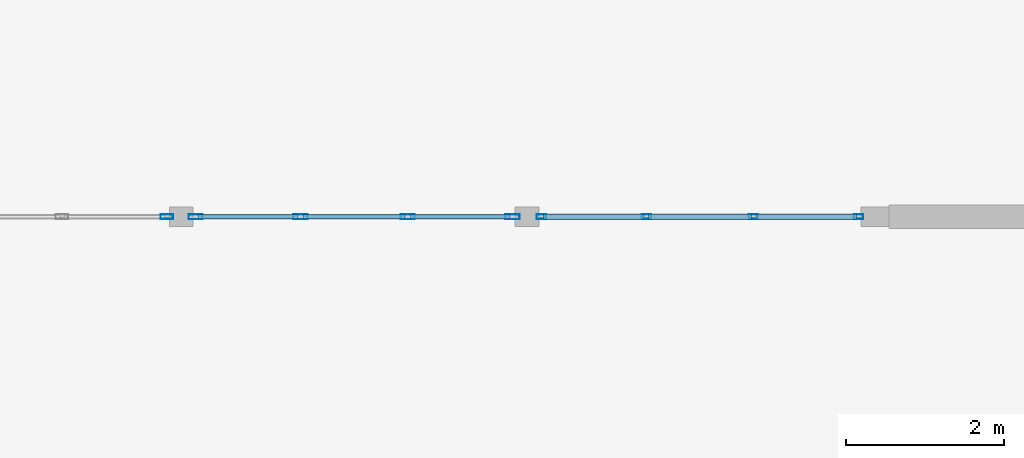
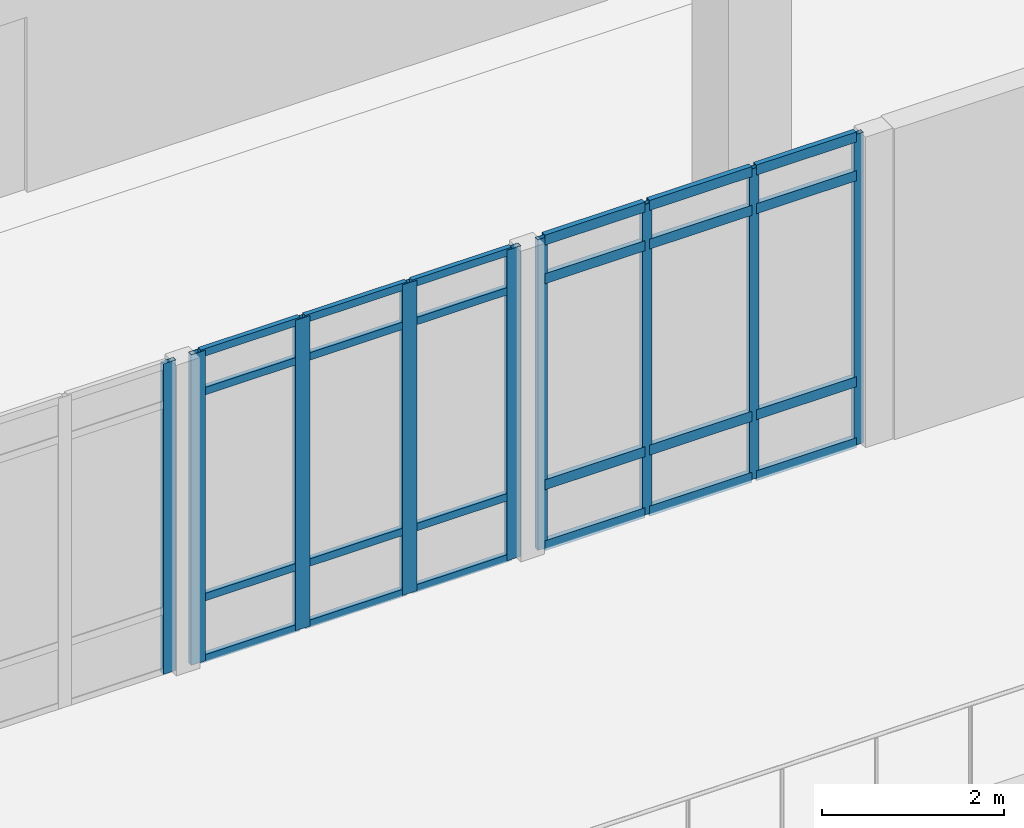
# One storey, part 20 of 55: 33 members, 3 elements without a shape of their own.
"""IFC4 building model written with IfcOpenShell, lengths in metres."""

from ifc_helpers import new_model, si_unit, direction, frame, origin, origin_2d, place, context, subcontext, project, spatial, hollow_rectangle, extrude, material, layer, layer_set, material_profile, profile_set, type_object, element, aggregate, save


model = new_model("IFC4")

# Units and contexts
model_context = context("Model", 3, precision=1e-05, world=origin(), true_north=direction((0.0, 1.0)))
body_context = subcontext(model_context, "Body", "Model", "MODEL_VIEW")
ifc_project = project(units=[si_unit("LENGTHUNIT", "METRE"), si_unit("AREAUNIT", "SQUARE_METRE"), si_unit("VOLUMEUNIT", "CUBIC_METRE"), si_unit("PLANEANGLEUNIT", "RADIAN"), si_unit("MASSUNIT", "GRAM", prefix="KILO")], contexts=[model_context])

# Site, building, storey
site_placement = place(None, origin())
site = spatial("IfcSite", under=ifc_project, at=site_placement, CompositionType="ELEMENT")
building_placement = place(site_placement, origin())
building = spatial("IfcBuilding", under=site, at=building_placement, Name="Fikremerkos Civic Library", CompositionType="ELEMENT")
storey_placement = place(building_placement, frame((0.0, 0.0, 18.89990234375)))
storey = spatial("IfcBuildingStorey", under=building, at=storey_placement, Name="L04", CompositionType="ELEMENT", Elevation=18.89990234375)

# Curtain wall, members
ifc_material = material(Name="Anodized aluminium Frame", Category="aluminium")
ifc_layer_1 = layer(ifc_material, 0.159912109375, Name="Anodized aluminium Frame")
ifc_layer_set_1 = layer_set([ifc_layer_1], Name="Anodized aluminium Frame")
curtain_wall_type_1 = type_object("IfcCurtainWallType", Name="Unitised curtain wall CW-05 3800x4100", PredefinedType="USERDEFINED", material=ifc_layer_set_1)
curtain_wall_1_placement = place(storey_placement, origin())
curtain_wall_1 = element("IfcCurtainWall", 1, at=curtain_wall_1_placement, inside=storey, type_object=curtain_wall_type_1, Name="Unitised curtain wall CW-05 L04 #221", ObjectType="UNITISED CURTAIN WALL", PredefinedType="USERDEFINED")
ifc_material_profile_1 = material_profile(ifc_material, hollow_rectangle(XDim=0.06494140625, YDim=0.179931640625, WallThickness=0.00439453125, at=origin_2d()), Name="ALU 180x65x4.5")
ifc_profile_set_1 = profile_set([ifc_material_profile_1], Name="Anodized aluminium Frame")
member_type_1 = type_object("IfcMemberType", Name="Curtain mullion CWM-01 ALU 180x65x4.5", PredefinedType="MULLION", material=ifc_profile_set_1)
member_1_placement = place(storey_placement, frame((68.4501953125, 8.800048828125, 0.0), z_axis=(0.0, 0.0, 1.0), x_axis=(0.0, -1.0, 0.0)))
member_1 = element("IfcMember", 2, at=member_1_placement, type_object=member_type_1, Name="CW-05 mullion 1", PredefinedType="MULLION", context=body_context, shape_type="SweptSolid", body=[
    extrude(hollow_rectangle(XDim=0.06494140625, YDim=0.179931640625, WallThickness=0.00439453125, at=origin_2d()), origin(), (0.0, 0.0, 1.0), 4.16015625),
])
member_2_placement = place(storey_placement, frame((67.12744140625, 8.800048828125, 0.0), z_axis=(0.0, 0.0, 1.0), x_axis=(0.0, -1.0, 0.0)))
member_2 = element("IfcMember", 3, at=member_2_placement, type_object=member_type_1, Name="CW-05 mullion 2", PredefinedType="MULLION", context=body_context, shape_type="SweptSolid", body=[
    extrude(hollow_rectangle(XDim=0.06494140625, YDim=0.179931640625, WallThickness=0.00439453125, at=origin_2d()), origin(), (0.0, 0.0, 1.0), 4.16015625),
])
member_3_placement = place(storey_placement, frame((65.7724609375, 8.800048828125, 0.0), z_axis=(0.0, 0.0, 1.0), x_axis=(0.0, -1.0, 0.0)))
member_3 = element("IfcMember", 4, at=member_3_placement, type_object=member_type_1, Name="CW-05 mullion 3", PredefinedType="MULLION", context=body_context, shape_type="SweptSolid", body=[
    extrude(hollow_rectangle(XDim=0.06494140625, YDim=0.179931640625, WallThickness=0.00439453125, at=origin_2d()), origin(), (0.0, 0.0, 1.0), 4.16015625),
])
member_4_placement = place(storey_placement, frame((64.449951171875, 8.800048828125, 0.0), z_axis=(0.0, 0.0, 1.0), x_axis=(0.0, -1.0, 0.0)))
member_4 = element("IfcMember", 5, at=member_4_placement, type_object=member_type_1, Name="CW-05 mullion 4", PredefinedType="MULLION", context=body_context, shape_type="SweptSolid", body=[
    extrude(hollow_rectangle(XDim=0.06494140625, YDim=0.179931640625, WallThickness=0.00439453125, at=origin_2d()), origin(), (0.0, 0.0, 1.0), 4.16015625),
])

# Curtain wall, member
ifc_layer_2 = layer(ifc_material, 0.159912109375, Name="Anodized aluminium Frame")
ifc_layer_set_2 = layer_set([ifc_layer_2], Name="Anodized aluminium Frame")
curtain_wall_type_2 = type_object("IfcCurtainWallType", Name="Unitised curtain wall CW-06 4200x4100", PredefinedType="USERDEFINED", material=ifc_layer_set_2)
curtain_wall_2_placement = place(storey_placement, origin())
curtain_wall_2 = element("IfcCurtainWall", 6, at=curtain_wall_2_placement, inside=storey, type_object=curtain_wall_type_2, Name="Unitised curtain wall CW-06 L04 #222", ObjectType="UNITISED CURTAIN WALL", PredefinedType="USERDEFINED")
ifc_material_profile_2 = material_profile(ifc_material, hollow_rectangle(XDim=0.06005859375, YDim=0.159912109375, WallThickness=0.00390625, at=origin_2d()), Name="ALU 160x60x4")
ifc_profile_set_2 = profile_set([ifc_material_profile_2], Name="Anodized aluminium Frame")
member_type_2 = type_object("IfcMemberType", Name="Curtain mullion CWM-02 ALU 160x60x4", PredefinedType="MULLION", material=ifc_profile_set_2)
member_5_placement = place(storey_placement, frame((64.08740234375, 8.800048828125, 0.0), z_axis=(0.0, 0.0, 1.0), x_axis=(0.0, -1.0, 0.0)))
member_5 = element("IfcMember", 7, at=member_5_placement, type_object=member_type_2, Name="CW-06 mullion 1", PredefinedType="MULLION", context=body_context, shape_type="SweptSolid", body=[
    extrude(hollow_rectangle(XDim=0.06005859375, YDim=0.159912109375, WallThickness=0.00390625, at=origin_2d()), origin(), (0.0, 0.0, 1.0), 4.16015625),
])
aggregate(curtain_wall_2, [member_5])

# Curtain wall, members
ifc_layer_3 = layer(ifc_material, 0.159912109375, Name="Anodized aluminium Frame")
ifc_layer_set_3 = layer_set([ifc_layer_3], Name="Anodized aluminium Frame")
curtain_wall_type_3 = type_object("IfcCurtainWallType", Name="Unitised curtain wall CW-04 3400x3600", PredefinedType="USERDEFINED", material=ifc_layer_set_3)
curtain_wall_3_placement = place(storey_placement, origin())
curtain_wall_3 = element("IfcCurtainWall", 8, at=curtain_wall_3_placement, inside=storey, type_object=curtain_wall_type_3, Name="Unitised curtain wall CW-04 L04 #220", ObjectType="UNITISED CURTAIN WALL", PredefinedType="USERDEFINED")
ifc_material_profile_3 = material_profile(ifc_material, hollow_rectangle(XDim=0.06005859375, YDim=0.1201171875, WallThickness=0.00390625, at=origin_2d()), Name="ALU 120x60x4")
ifc_profile_set_3 = profile_set([ifc_material_profile_3], Name="Anodized aluminium Frame")
member_type_3 = type_object("IfcMemberType", Name="Curtain mullion CWM-04 ALU 120x60x4", PredefinedType="MULLION", material=ifc_profile_set_3)
member_6_placement = place(storey_placement, frame((72.818115234375, 8.800048828125, 0.0), z_axis=(0.0, 0.0, 1.0), x_axis=(0.0, -1.0, 0.0)))
member_6 = element("IfcMember", 9, at=member_6_placement, type_object=member_type_3, Name="CW-04 mullion 1", PredefinedType="MULLION", context=body_context, shape_type="SweptSolid", body=[
    extrude(hollow_rectangle(XDim=0.06005859375, YDim=0.1201171875, WallThickness=0.00390625, at=origin_2d()), origin(), (0.0, 0.0, 1.0), 4.16015625),
])
member_7_placement = place(storey_placement, frame((71.492919921875, 8.800048828125, 0.0), z_axis=(0.0, 0.0, 1.0), x_axis=(0.0, -1.0, 0.0)))
member_7 = element("IfcMember", 10, at=member_7_placement, type_object=member_type_3, Name="CW-04 mullion 2", PredefinedType="MULLION", context=body_context, shape_type="SweptSolid", body=[
    extrude(hollow_rectangle(XDim=0.06005859375, YDim=0.1201171875, WallThickness=0.00390625, at=origin_2d()), origin(), (0.0, 0.0, 1.0), 4.16015625),
])
member_8_placement = place(storey_placement, frame((70.1376953125, 8.800048828125, 0.0), z_axis=(0.0, 0.0, 1.0), x_axis=(0.0, -1.0, 0.0)))
member_8 = element("IfcMember", 11, at=member_8_placement, type_object=member_type_3, Name="CW-04 mullion 3", PredefinedType="MULLION", context=body_context, shape_type="SweptSolid", body=[
    extrude(hollow_rectangle(XDim=0.06005859375, YDim=0.1201171875, WallThickness=0.00390625, at=origin_2d()), origin(), (0.0, 0.0, 1.0), 4.16015625),
])
member_9_placement = place(storey_placement, frame((68.812744140625, 8.800048828125, 0.0), z_axis=(0.0, 0.0, 1.0), x_axis=(0.0, -1.0, 0.0)))
member_9 = element("IfcMember", 12, at=member_9_placement, type_object=member_type_3, Name="CW-04 mullion 4", PredefinedType="MULLION", context=body_context, shape_type="SweptSolid", body=[
    extrude(hollow_rectangle(XDim=0.06005859375, YDim=0.1201171875, WallThickness=0.00390625, at=origin_2d()), origin(), (0.0, 0.0, 1.0), 4.16015625),
])
ifc_material_profile_4 = material_profile(ifc_material, hollow_rectangle(XDim=0.06494140625, YDim=0.135009765625, WallThickness=0.00439453125, at=origin_2d()), Name="ALU 135x65x4.5")
ifc_profile_set_4 = profile_set([ifc_material_profile_4], Name="Anodized aluminium Frame")
member_type_4 = type_object("IfcMemberType", Name="Curtain transom CWT-02 ALU 135x65x4.5", PredefinedType="USERDEFINED", material=ifc_profile_set_4)
member_10_placement = place(storey_placement, frame((72.7880859375, 8.800048828125, 0.03271484375), z_axis=(-1.0, 0.0, 0.0), x_axis=(0.0, -1.0, 0.0)))
member_10 = element("IfcMember", 13, at=member_10_placement, type_object=member_type_4, Name="CW-04 transom 1.1", ObjectType="TRANSOM", PredefinedType="USERDEFINED", context=body_context, shape_type="SweptSolid", body=[
    extrude(hollow_rectangle(XDim=0.06494140625, YDim=0.135009765625, WallThickness=0.00439453125, at=origin_2d()), origin(), (0.0, 0.0, 1.0), 1.26513671875),
])
member_11_placement = place(storey_placement, frame((72.7880859375, 8.800048828125, 0.85009765625), z_axis=(-1.0, 0.0, 0.0), x_axis=(0.0, -1.0, 0.0)))
member_11 = element("IfcMember", 14, at=member_11_placement, type_object=member_type_4, Name="CW-04 transom 1.2", ObjectType="TRANSOM", PredefinedType="USERDEFINED", context=body_context, shape_type="SweptSolid", body=[
    extrude(hollow_rectangle(XDim=0.06494140625, YDim=0.135009765625, WallThickness=0.00439453125, at=origin_2d()), origin(), (0.0, 0.0, 1.0), 1.26513671875),
])
member_12_placement = place(storey_placement, frame((72.7880859375, 8.800048828125, 3.610107421875), z_axis=(-1.0, 0.0, 0.0), x_axis=(0.0, -1.0, 0.0)))
member_12 = element("IfcMember", 15, at=member_12_placement, type_object=member_type_4, Name="CW-04 transom 1.3", ObjectType="TRANSOM", PredefinedType="USERDEFINED", context=body_context, shape_type="SweptSolid", body=[
    extrude(hollow_rectangle(XDim=0.06494140625, YDim=0.135009765625, WallThickness=0.00439453125, at=origin_2d()), origin(), (0.0, 0.0, 1.0), 1.26513671875),
])
member_13_placement = place(storey_placement, frame((72.7880859375, 8.800048828125, 4.127685546875), z_axis=(-1.0, 0.0, 0.0), x_axis=(0.0, -1.0, 0.0)))
member_13 = element("IfcMember", 16, at=member_13_placement, type_object=member_type_4, Name="CW-04 transom 1.4", ObjectType="TRANSOM", PredefinedType="USERDEFINED", context=body_context, shape_type="SweptSolid", body=[
    extrude(hollow_rectangle(XDim=0.06494140625, YDim=0.135009765625, WallThickness=0.00439453125, at=origin_2d()), origin(), (0.0, 0.0, 1.0), 1.26513671875),
])
member_14_placement = place(storey_placement, frame((71.462890625, 8.800048828125, 0.03271484375), z_axis=(-1.0, 0.0, 0.0), x_axis=(0.0, -1.0, 0.0)))
member_14 = element("IfcMember", 17, at=member_14_placement, type_object=member_type_4, Name="CW-04 transom 2.1", ObjectType="TRANSOM", PredefinedType="USERDEFINED", context=body_context, shape_type="SweptSolid", body=[
    extrude(hollow_rectangle(XDim=0.06494140625, YDim=0.135009765625, WallThickness=0.00439453125, at=origin_2d()), origin(), (0.0, 0.0, 1.0), 1.295166015625),
])
member_15_placement = place(storey_placement, frame((71.462890625, 8.800048828125, 0.85009765625), z_axis=(-1.0, 0.0, 0.0), x_axis=(0.0, -1.0, 0.0)))
member_15 = element("IfcMember", 18, at=member_15_placement, type_object=member_type_4, Name="CW-04 transom 2.2", ObjectType="TRANSOM", PredefinedType="USERDEFINED", context=body_context, shape_type="SweptSolid", body=[
    extrude(hollow_rectangle(XDim=0.06494140625, YDim=0.135009765625, WallThickness=0.00439453125, at=origin_2d()), origin(), (0.0, 0.0, 1.0), 1.295166015625),
])
member_16_placement = place(storey_placement, frame((71.462890625, 8.800048828125, 3.610107421875), z_axis=(-1.0, 0.0, 0.0), x_axis=(0.0, -1.0, 0.0)))
member_16 = element("IfcMember", 19, at=member_16_placement, type_object=member_type_4, Name="CW-04 transom 2.3", ObjectType="TRANSOM", PredefinedType="USERDEFINED", context=body_context, shape_type="SweptSolid", body=[
    extrude(hollow_rectangle(XDim=0.06494140625, YDim=0.135009765625, WallThickness=0.00439453125, at=origin_2d()), origin(), (0.0, 0.0, 1.0), 1.295166015625),
])
member_17_placement = place(storey_placement, frame((71.462890625, 8.800048828125, 4.127685546875), z_axis=(-1.0, 0.0, 0.0), x_axis=(0.0, -1.0, 0.0)))
member_17 = element("IfcMember", 20, at=member_17_placement, type_object=member_type_4, Name="CW-04 transom 2.4", ObjectType="TRANSOM", PredefinedType="USERDEFINED", context=body_context, shape_type="SweptSolid", body=[
    extrude(hollow_rectangle(XDim=0.06494140625, YDim=0.135009765625, WallThickness=0.00439453125, at=origin_2d()), origin(), (0.0, 0.0, 1.0), 1.295166015625),
])
member_18_placement = place(storey_placement, frame((70.107666015625, 8.800048828125, 0.03271484375), z_axis=(-1.0, 0.0, 0.0), x_axis=(0.0, -1.0, 0.0)))
member_18 = element("IfcMember", 21, at=member_18_placement, type_object=member_type_4, Name="CW-04 transom 3.1", ObjectType="TRANSOM", PredefinedType="USERDEFINED", context=body_context, shape_type="SweptSolid", body=[
    extrude(hollow_rectangle(XDim=0.06494140625, YDim=0.135009765625, WallThickness=0.00439453125, at=origin_2d()), origin(), (0.0, 0.0, 1.0), 1.264892578125),
])
member_19_placement = place(storey_placement, frame((70.107666015625, 8.800048828125, 0.85009765625), z_axis=(-1.0, 0.0, 0.0), x_axis=(0.0, -1.0, 0.0)))
member_19 = element("IfcMember", 22, at=member_19_placement, type_object=member_type_4, Name="CW-04 transom 3.2", ObjectType="TRANSOM", PredefinedType="USERDEFINED", context=body_context, shape_type="SweptSolid", body=[
    extrude(hollow_rectangle(XDim=0.06494140625, YDim=0.135009765625, WallThickness=0.00439453125, at=origin_2d()), origin(), (0.0, 0.0, 1.0), 1.264892578125),
])
member_20_placement = place(storey_placement, frame((70.107666015625, 8.800048828125, 3.610107421875), z_axis=(-1.0, 0.0, 0.0), x_axis=(0.0, -1.0, 0.0)))
member_20 = element("IfcMember", 23, at=member_20_placement, type_object=member_type_4, Name="CW-04 transom 3.3", ObjectType="TRANSOM", PredefinedType="USERDEFINED", context=body_context, shape_type="SweptSolid", body=[
    extrude(hollow_rectangle(XDim=0.06494140625, YDim=0.135009765625, WallThickness=0.00439453125, at=origin_2d()), origin(), (0.0, 0.0, 1.0), 1.264892578125),
])
member_21_placement = place(storey_placement, frame((70.107666015625, 8.800048828125, 4.127685546875), z_axis=(-1.0, 0.0, 0.0), x_axis=(0.0, -1.0, 0.0)))
member_21 = element("IfcMember", 24, at=member_21_placement, type_object=member_type_4, Name="CW-04 transom 3.4", ObjectType="TRANSOM", PredefinedType="USERDEFINED", context=body_context, shape_type="SweptSolid", body=[
    extrude(hollow_rectangle(XDim=0.06494140625, YDim=0.135009765625, WallThickness=0.00439453125, at=origin_2d()), origin(), (0.0, 0.0, 1.0), 1.264892578125),
])
aggregate(curtain_wall_3, [member_6, member_7, member_8, member_9, member_10, member_11, member_12, member_13, member_14, member_15, member_16, member_17, member_18, member_19, member_20, member_21])

# Member
ifc_material_profile_5 = material_profile(ifc_material, hollow_rectangle(XDim=0.06005859375, YDim=0.10009765625, WallThickness=0.00390625, at=origin_2d()), Name="ALU 100x60x4")
ifc_profile_set_5 = profile_set([ifc_material_profile_5], Name="Anodized aluminium Frame")
member_type_5 = type_object("IfcMemberType", Name="Curtain transom CWT-03 ALU 100x60x4", PredefinedType="USERDEFINED", material=ifc_profile_set_5)
member_22_placement = place(storey_placement, frame((68.417724609375, 8.800048828125, 0.030029296875), z_axis=(-1.0, 0.0, 0.0), x_axis=(0.0, -1.0, 0.0)))
member_22 = element("IfcMember", 25, at=member_22_placement, type_object=member_type_5, Name="CW-05 transom 1.1", ObjectType="TRANSOM", PredefinedType="USERDEFINED", context=body_context, shape_type="SweptSolid", body=[
    extrude(hollow_rectangle(XDim=0.06005859375, YDim=0.10009765625, WallThickness=0.00390625, at=origin_2d()), origin(), (0.0, 0.0, 1.0), 1.257568359375),
])

member_23_placement = place(storey_placement, frame((68.417724609375, 8.800048828125, 0.85009765625), z_axis=(-1.0, 0.0, 0.0), x_axis=(0.0, -1.0, 0.0)))
member_23 = element("IfcMember", 26, at=member_23_placement, type_object=member_type_5, Name="CW-05 transom 1.2", ObjectType="TRANSOM", PredefinedType="USERDEFINED", context=body_context, shape_type="SweptSolid", body=[
    extrude(hollow_rectangle(XDim=0.06005859375, YDim=0.10009765625, WallThickness=0.00390625, at=origin_2d()), origin(), (0.0, 0.0, 1.0), 1.257568359375),
])

member_24_placement = place(storey_placement, frame((68.417724609375, 8.800048828125, 3.610107421875), z_axis=(-1.0, 0.0, 0.0), x_axis=(0.0, -1.0, 0.0)))
member_24 = element("IfcMember", 27, at=member_24_placement, type_object=member_type_5, Name="CW-05 transom 1.3", ObjectType="TRANSOM", PredefinedType="USERDEFINED", context=body_context, shape_type="SweptSolid", body=[
    extrude(hollow_rectangle(XDim=0.06005859375, YDim=0.10009765625, WallThickness=0.00390625, at=origin_2d()), origin(), (0.0, 0.0, 1.0), 1.257568359375),
])

member_25_placement = place(storey_placement, frame((68.417724609375, 8.800048828125, 4.130126953125), z_axis=(-1.0, 0.0, 0.0), x_axis=(0.0, -1.0, 0.0)))
member_25 = element("IfcMember", 28, at=member_25_placement, type_object=member_type_5, Name="CW-05 transom 1.4", ObjectType="TRANSOM", PredefinedType="USERDEFINED", context=body_context, shape_type="SweptSolid", body=[
    extrude(hollow_rectangle(XDim=0.06005859375, YDim=0.10009765625, WallThickness=0.00390625, at=origin_2d()), origin(), (0.0, 0.0, 1.0), 1.257568359375),
])

member_26_placement = place(storey_placement, frame((67.094970703125, 8.800048828125, 0.030029296875), z_axis=(-1.0, 0.0, 0.0), x_axis=(0.0, -1.0, 0.0)))
member_26 = element("IfcMember", 29, at=member_26_placement, type_object=member_type_5, Name="CW-05 transom 2.1", ObjectType="TRANSOM", PredefinedType="USERDEFINED", context=body_context, shape_type="SweptSolid", body=[
    extrude(hollow_rectangle(XDim=0.06005859375, YDim=0.10009765625, WallThickness=0.00390625, at=origin_2d()), origin(), (0.0, 0.0, 1.0), 1.2900390625),
])

member_27_placement = place(storey_placement, frame((67.094970703125, 8.800048828125, 0.85009765625), z_axis=(-1.0, 0.0, 0.0), x_axis=(0.0, -1.0, 0.0)))
member_27 = element("IfcMember", 30, at=member_27_placement, type_object=member_type_5, Name="CW-05 transom 2.2", ObjectType="TRANSOM", PredefinedType="USERDEFINED", context=body_context, shape_type="SweptSolid", body=[
    extrude(hollow_rectangle(XDim=0.06005859375, YDim=0.10009765625, WallThickness=0.00390625, at=origin_2d()), origin(), (0.0, 0.0, 1.0), 1.2900390625),
])

member_28_placement = place(storey_placement, frame((67.094970703125, 8.800048828125, 3.610107421875), z_axis=(-1.0, 0.0, 0.0), x_axis=(0.0, -1.0, 0.0)))
member_28 = element("IfcMember", 31, at=member_28_placement, type_object=member_type_5, Name="CW-05 transom 2.3", ObjectType="TRANSOM", PredefinedType="USERDEFINED", context=body_context, shape_type="SweptSolid", body=[
    extrude(hollow_rectangle(XDim=0.06005859375, YDim=0.10009765625, WallThickness=0.00390625, at=origin_2d()), origin(), (0.0, 0.0, 1.0), 1.2900390625),
])

member_29_placement = place(storey_placement, frame((67.094970703125, 8.800048828125, 4.130126953125), z_axis=(-1.0, 0.0, 0.0), x_axis=(0.0, -1.0, 0.0)))
member_29 = element("IfcMember", 32, at=member_29_placement, type_object=member_type_5, Name="CW-05 transom 2.4", ObjectType="TRANSOM", PredefinedType="USERDEFINED", context=body_context, shape_type="SweptSolid", body=[
    extrude(hollow_rectangle(XDim=0.06005859375, YDim=0.10009765625, WallThickness=0.00390625, at=origin_2d()), origin(), (0.0, 0.0, 1.0), 1.2900390625),
])

member_30_placement = place(storey_placement, frame((65.739990234375, 8.800048828125, 0.030029296875), z_axis=(-1.0, 0.0, 0.0), x_axis=(0.0, -1.0, 0.0)))
member_30 = element("IfcMember", 33, at=member_30_placement, type_object=member_type_5, Name="CW-05 transom 3.1", ObjectType="TRANSOM", PredefinedType="USERDEFINED", context=body_context, shape_type="SweptSolid", body=[
    extrude(hollow_rectangle(XDim=0.06005859375, YDim=0.10009765625, WallThickness=0.00390625, at=origin_2d()), origin(), (0.0, 0.0, 1.0), 1.257568359375),
])

member_31_placement = place(storey_placement, frame((65.739990234375, 8.800048828125, 0.85009765625), z_axis=(-1.0, 0.0, 0.0), x_axis=(0.0, -1.0, 0.0)))
member_31 = element("IfcMember", 34, at=member_31_placement, type_object=member_type_5, Name="CW-05 transom 3.2", ObjectType="TRANSOM", PredefinedType="USERDEFINED", context=body_context, shape_type="SweptSolid", body=[
    extrude(hollow_rectangle(XDim=0.06005859375, YDim=0.10009765625, WallThickness=0.00390625, at=origin_2d()), origin(), (0.0, 0.0, 1.0), 1.257568359375),
])

member_32_placement = place(storey_placement, frame((65.739990234375, 8.800048828125, 3.610107421875), z_axis=(-1.0, 0.0, 0.0), x_axis=(0.0, -1.0, 0.0)))
member_32 = element("IfcMember", 35, at=member_32_placement, type_object=member_type_5, Name="CW-05 transom 3.3", ObjectType="TRANSOM", PredefinedType="USERDEFINED", context=body_context, shape_type="SweptSolid", body=[
    extrude(hollow_rectangle(XDim=0.06005859375, YDim=0.10009765625, WallThickness=0.00390625, at=origin_2d()), origin(), (0.0, 0.0, 1.0), 1.257568359375),
])

member_33_placement = place(storey_placement, frame((65.739990234375, 8.800048828125, 4.130126953125), z_axis=(-1.0, 0.0, 0.0), x_axis=(0.0, -1.0, 0.0)))
member_33 = element("IfcMember", 36, at=member_33_placement, type_object=member_type_5, Name="CW-05 transom 3.4", ObjectType="TRANSOM", PredefinedType="USERDEFINED", context=body_context, shape_type="SweptSolid", body=[
    extrude(hollow_rectangle(XDim=0.06005859375, YDim=0.10009765625, WallThickness=0.00390625, at=origin_2d()), origin(), (0.0, 0.0, 1.0), 1.257568359375),
])

aggregate(curtain_wall_1, [member_1, member_2, member_3, member_4, member_22, member_23, member_24, member_25, member_26, member_27, member_28, member_29, member_30, member_31, member_32, member_33])

save(model, "model.ifc")
